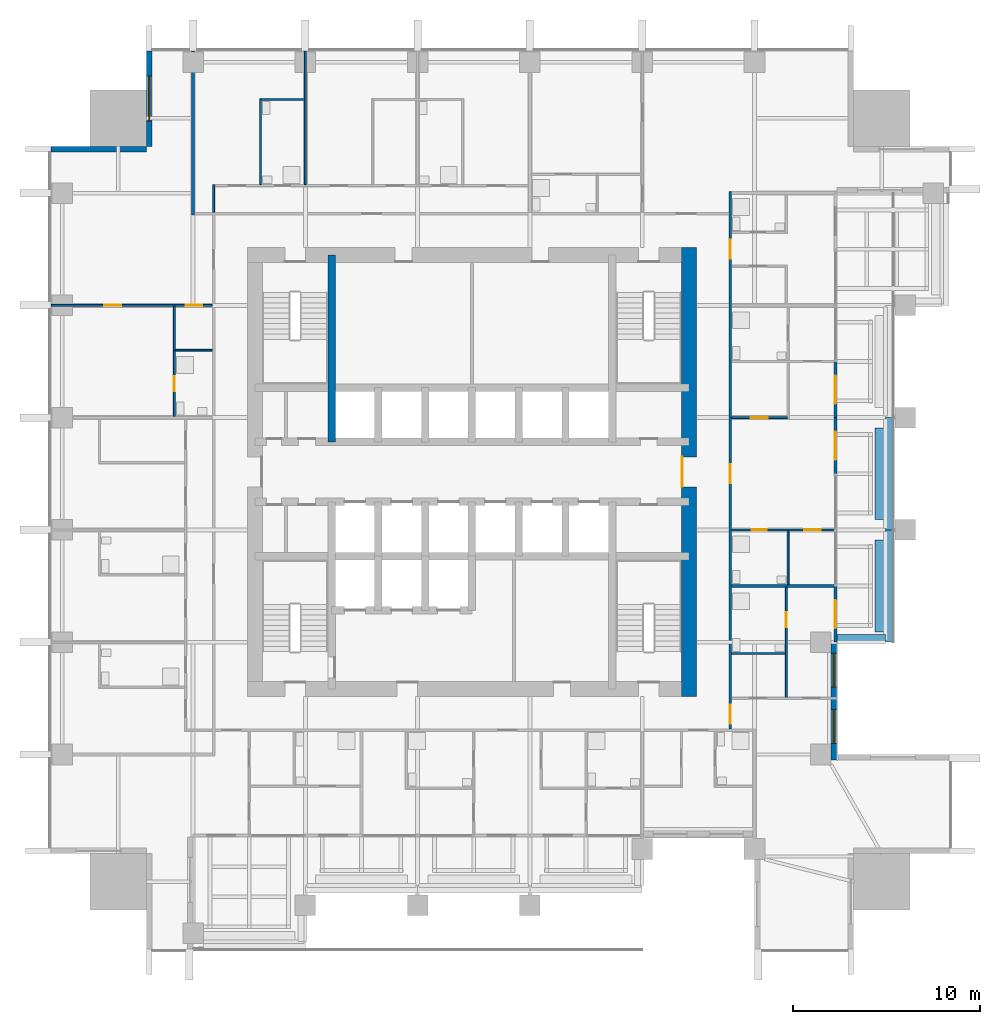
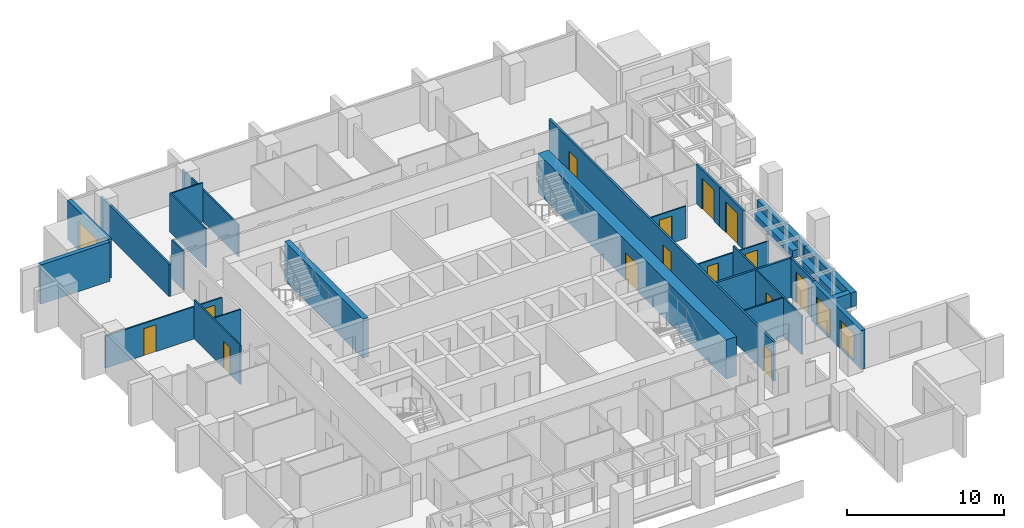
# One storey, part 10 of 16: 28 walls, 14 doors, 3 windows, 17 openings.
"""IFC4 building model written with IfcOpenShell, lengths in metres."""

from ifc_helpers import new_model, si_unit, direction, frame, frame_2d, origin, place, context, subcontext, project, spatial, rectangle, extrude, material, layer, layer_set, type_object, element, fill, save


model = new_model("IFC4")

# Units and contexts
model_context = context("Model", 3, precision=1e-05, world=origin(), true_north=direction((0.0, 1.0)))
body_context = subcontext(model_context, "Body", "Model", "MODEL_VIEW")
ifc_project = project(units=[si_unit("LENGTHUNIT", "METRE"), si_unit("AREAUNIT", "SQUARE_METRE"), si_unit("VOLUMEUNIT", "CUBIC_METRE"), si_unit("PLANEANGLEUNIT", "RADIAN"), si_unit("MASSUNIT", "GRAM", prefix="KILO")], contexts=[model_context])

# Site, building, storey
site_placement = place(None, origin())
site = spatial("IfcSite", under=ifc_project, at=site_placement, CompositionType="ELEMENT")
building_placement = place(site_placement, origin())
building = spatial("IfcBuilding", under=site, at=building_placement, Name="Amberfall Residences", CompositionType="ELEMENT")
storey_placement = place(building_placement, frame((0.0, 0.0, 108.39990234375)))
storey = spatial("IfcBuildingStorey", under=building, at=storey_placement, Name="L29", CompositionType="ELEMENT", Elevation=108.39990234375)

# Wall, opening, window
ifc_material_1 = material(Name="Pale stone cladding on insulated backing", Category="masonry")
ifc_layer_1 = layer(ifc_material_1, 0.300048828125)
ifc_layer_set_1 = layer_set([ifc_layer_1], Name="Bronze clad wall 300")
wall_type_1 = type_object("IfcWallType", Name="Bronze clad wall 300", PredefinedType="SOLIDWALL", material=ifc_layer_set_1)
wall_1_placement = place(storey_placement, frame((57.25, 68.0, 0.0), z_axis=(0.0, 0.0, 1.0), x_axis=(0.0, -1.0, 0.0)))
wall_1 = element("IfcWall", 1, at=wall_1_placement, inside=storey, type_object=wall_type_1, Name="External wall L29 NW", PredefinedType="SOLIDWALL", context=body_context, shape_type="SweptSolid", body=[
    extrude(rectangle(XDim=5.10009765625, YDim=0.300048828125, at=frame_2d((2.550048828125, 0.0))), origin(), (0.0, 0.0, 1.0), 3.050048828125),
])
opening_1_placement = place(wall_1_placement, frame((1.35009765625, 0.0, 0.14990234375)))
opening_1 = element("IfcOpeningElement", 2, at=opening_1_placement, cuts=wall_1, Name="Opening WN5", PredefinedType="OPENING", context=body_context, shape_type="SweptSolid", body=[
    extrude(rectangle(XDim=2.39990234375, YDim=2.10009765625, at=frame_2d((1.199951171875, 1.050048828125))), frame((0.0, 0.159912109375, 0.0), z_axis=(0.0, -1.0, 0.0), x_axis=(1.0, 0.0, 0.0)), (0.0, 0.0, 1.0), 0.320068359375),
])
ifc_material_2 = material(Name="Bronze aluminium framed glazing", Category="aluminium")
window_type_1 = type_object("IfcWindowType", Name="Glazed opening 2400 x 2100 bronze", PartitioningType="DOUBLE_PANEL_VERTICAL", PredefinedType="WINDOW", material=ifc_material_2)
window_1_placement = place(opening_1_placement, origin())
window_1 = element("IfcWindow", 3, at=window_1_placement, inside=storey, type_object=window_type_1, Name="Window L29 NW", OverallHeight=2.10009765625, OverallWidth=2.39990234375, PartitioningType="DOUBLE_PANEL_VERTICAL", PredefinedType="WINDOW", context=body_context, shape_type="SweptSolid", body=[
    extrude(rectangle(XDim=2.39990234375, YDim=2.10009765625, at=frame_2d((1.199951171875, 1.050048828125))), frame((0.0, 0.030029296875, 0.0), z_axis=(0.0, -1.0, 0.0), x_axis=(1.0, 0.0, 0.0)), (0.0, 0.0, 1.0), 0.06005859375),
])
fill(opening_1, window_1)

# Wall
wall_2_placement = place(storey_placement, frame((57.10009765625, 62.75, 0.0), z_axis=(0.0, 0.0, 1.0), x_axis=(-1.0, 0.0, 0.0)))
element("IfcWall", 4, at=wall_2_placement, inside=storey, type_object=wall_type_1, Name="External wall L29 NW", PredefinedType="SOLIDWALL", context=body_context, shape_type="SweptSolid", body=[
    extrude(rectangle(XDim=5.10009765625, YDim=0.300048828125, at=frame_2d((2.550048828125, 0.0))), origin(), (0.0, 0.0, 1.0), 3.050048828125),
])

# Wall, openings, windows
wall_3_placement = place(storey_placement, frame((93.85009765625, 30.10009765625, 0.0), z_axis=(0.0, 0.0, 1.0), x_axis=(0.0, 1.0, 0.0)))
wall_3 = element("IfcWall", 5, at=wall_3_placement, inside=storey, type_object=wall_type_1, Name="Stone wall L29 E", PredefinedType="SOLIDWALL", context=body_context, shape_type="SweptSolid", body=[
    extrude(rectangle(XDim=6.2998046875, YDim=0.300048828125, at=frame_2d((3.14990234375, 0.0))), origin(), (0.0, 0.0, 1.0), 3.050048828125),
])
opening_2_placement = place(wall_3_placement, frame((0.89990234375, 0.0, 0.14990234375)))
opening_2 = element("IfcOpeningElement", 6, at=opening_2_placement, cuts=wall_3, Name="Opening WN6", PredefinedType="OPENING", context=body_context, shape_type="SweptSolid", body=[
    extrude(rectangle(XDim=1.800048828125, YDim=2.10009765625, at=frame_2d((0.89990234375, 1.050048828125))), frame((0.0, 0.159912109375, 0.0), z_axis=(0.0, -1.0, 0.0), x_axis=(1.0, 0.0, 0.0)), (0.0, 0.0, 1.0), 0.320068359375),
])
opening_3_placement = place(wall_3_placement, frame((3.89990234375, 0.0, 0.14990234375)))
opening_3 = element("IfcOpeningElement", 7, at=opening_3_placement, cuts=wall_3, Name="Opening WN6", PredefinedType="OPENING", context=body_context, shape_type="SweptSolid", body=[
    extrude(rectangle(XDim=1.800048828125, YDim=2.10009765625, at=frame_2d((0.89990234375, 1.050048828125))), frame((0.0, 0.159912109375, 0.0), z_axis=(0.0, -1.0, 0.0), x_axis=(1.0, 0.0, 0.0)), (0.0, 0.0, 1.0), 0.320068359375),
])
window_type_2 = type_object("IfcWindowType", Name="Glazed opening 1800 x 2100 bronze", PartitioningType="DOUBLE_PANEL_VERTICAL", PredefinedType="WINDOW", material=ifc_material_2)
window_2_placement = place(opening_2_placement, origin())
window_2 = element("IfcWindow", 8, at=window_2_placement, inside=storey, type_object=window_type_2, Name="Window L29 E", OverallHeight=2.10009765625, OverallWidth=1.800048828125, PartitioningType="DOUBLE_PANEL_VERTICAL", PredefinedType="WINDOW", context=body_context, shape_type="SweptSolid", body=[
    extrude(rectangle(XDim=1.800048828125, YDim=2.10009765625, at=frame_2d((0.89990234375, 1.050048828125))), frame((0.0, 0.030029296875, 0.0), z_axis=(0.0, -1.0, 0.0), x_axis=(1.0, 0.0, 0.0)), (0.0, 0.0, 1.0), 0.06005859375),
])
fill(opening_2, window_2)
window_3_placement = place(opening_3_placement, origin())
window_3 = element("IfcWindow", 9, at=window_3_placement, inside=storey, type_object=window_type_2, Name="Window L29 E", OverallHeight=2.10009765625, OverallWidth=1.800048828125, PartitioningType="DOUBLE_PANEL_VERTICAL", PredefinedType="WINDOW", context=body_context, shape_type="SweptSolid", body=[
    extrude(rectangle(XDim=1.800048828125, YDim=2.10009765625, at=frame_2d((0.89990234375, 1.050048828125))), frame((0.0, 0.030029296875, 0.0), z_axis=(0.0, -1.0, 0.0), x_axis=(1.0, 0.0, 0.0)), (0.0, 0.0, 1.0), 0.06005859375),
])
fill(opening_3, window_3)

# Wall
ifc_material_3 = material(Name="Concrete C70", Category="concrete")
ifc_layer_2 = layer(ifc_material_3, 0.39990234375)
ifc_layer_set_2 = layer_set([ifc_layer_2], Name="Core wall 400 C70")
wall_type_2 = type_object("IfcWallType", Name="Core wall 400 C70", PredefinedType="SHEAR", material=ifc_layer_set_2)
wall_4_placement = place(storey_placement, frame((67.0, 47.10009765625, 0.0), z_axis=(0.0, 0.0, 1.0), x_axis=(0.0, 1.0, 0.0)))
element("IfcWall", 10, at=wall_4_placement, inside=storey, type_object=wall_type_2, Name="Core wall RW4 L29 V45N", PredefinedType="SHEAR", context=body_context, shape_type="SweptSolid", body=[
    extrude(rectangle(XDim=10.0, YDim=0.39990234375, at=frame_2d((5.0, 0.0))), origin(), (0.0, 0.0, 1.0), 3.050048828125),
])

# Wall, opening, door
ifc_layer_3 = layer(ifc_material_3, 0.800048828125)
ifc_layer_set_3 = layer_set([ifc_layer_3], Name="Core wall 800 C70")
wall_type_3 = type_object("IfcWallType", Name="Core wall 800 C70", PredefinedType="SHEAR", material=ifc_layer_set_3)
wall_5_placement = place(storey_placement, frame((86.10009765625, 33.5, 0.0), z_axis=(0.0, 0.0, 1.0), x_axis=(0.0, 1.0, 0.0)))
wall_5 = element("IfcWall", 11, at=wall_5_placement, inside=storey, type_object=wall_type_3, Name="Core wall RW3 L29 OE", PredefinedType="SHEAR", context=body_context, shape_type="SweptSolid", body=[
    extrude(rectangle(XDim=24.0, YDim=0.800048828125, at=frame_2d((12.0, 0.0))), origin(), (0.0, 0.0, 1.0), 3.050048828125),
])
opening_4_placement = place(wall_5_placement, frame((11.199951171875, 0.0, 0.0)))
opening_4 = element("IfcOpeningElement", 12, at=opening_4_placement, cuts=wall_5, Name="Opening LB1", PredefinedType="OPENING", context=body_context, shape_type="SweptSolid", body=[
    extrude(rectangle(XDim=1.60009765625, YDim=2.10009765625, at=frame_2d((0.800048828125, 1.050048828125))), frame((0.0, 0.409912109375, 0.0), z_axis=(0.0, -1.0, 0.0), x_axis=(1.0, 0.0, 0.0)), (0.0, 0.0, 1.0), 0.820068359375),
])
ifc_material_4 = material(Name="Steel fire door set", Category="steel")
door_type_1 = type_object("IfcDoorType", Name="Lift lobby double door 1600 x 2100", OperationType="DOUBLE_DOOR_SINGLE_SWING", PredefinedType="DOOR", material=ifc_material_4)
door_1_placement = place(opening_4_placement, origin())
door_1 = element("IfcDoor", 13, at=door_1_placement, inside=storey, type_object=door_type_1, Name="LB1 L29", OperationType="DOUBLE_DOOR_SINGLE_SWING", OverallHeight=2.10009765625, OverallWidth=1.60009765625, PredefinedType="DOOR", context=body_context, shape_type="SweptSolid", body=[
    extrude(rectangle(XDim=1.60009765625, YDim=2.10009765625, at=frame_2d((0.800048828125, 1.050048828125))), frame((0.0, 0.3876953125, 0.0), z_axis=(0.0, -1.0, 0.0), x_axis=(1.0, 0.0, 0.0)), (0.0, 0.0, 1.0), 0.050048828125),
])
fill(opening_4, door_1)

ifc_material_5 = material(Name="Gypsum board on metal stud")
ifc_layer_4 = layer(ifc_material_5, 0.10009765625)
ifc_layer_set_4 = layer_set([ifc_layer_4], Name="Flat partition 100")
wall_type_4 = type_object("IfcWallType", Name="Flat partition 100", PredefinedType="PARTITIONING", material=ifc_layer_set_4)
wall_6_placement = place(storey_placement, frame((58.60009765625, 54.35009765625, 0.0), z_axis=(0.0, 0.0, 1.0), x_axis=(0.0, -1.0, 0.0)))
wall_6 = element("IfcWall", 14, at=wall_6_placement, inside=storey, type_object=wall_type_4, Name="Partition 004", PredefinedType="PARTITIONING", context=body_context, shape_type="SweptSolid", body=[
    extrude(rectangle(XDim=5.875, YDim=0.10009765625, at=frame_2d((2.9375, 0.0))), origin(), (0.0, 0.0, 1.0), 3.050048828125),
])
opening_5_placement = place(wall_6_placement, frame((3.75, 0.0, 0.0)))
opening_5 = element("IfcOpeningElement", 15, at=opening_5_placement, cuts=wall_6, Name="Opening D42", PredefinedType="OPENING", context=body_context, shape_type="SweptSolid", body=[
    extrude(rectangle(XDim=0.800048828125, YDim=2.10009765625, at=frame_2d((0.39990234375, 1.050048828125))), frame((0.0, 0.06005859375, 0.0), z_axis=(0.0, -1.0, 0.0), x_axis=(1.0, 0.0, 0.0)), (0.0, 0.0, 1.0), 0.1201171875),
])
ifc_material_6 = material(Name="Timber", Category="wood")
door_type_2 = type_object("IfcDoorType", Name="Bathroom door 800 x 2100", OperationType="SINGLE_SWING_LEFT", PredefinedType="DOOR", material=ifc_material_6)
door_2_placement = place(opening_5_placement, origin())
door_2 = element("IfcDoor", 16, at=door_2_placement, inside=storey, type_object=door_type_2, Name="Door 2910 bath1", OperationType="SINGLE_SWING_LEFT", OverallHeight=2.10009765625, OverallWidth=0.800048828125, PredefinedType="DOOR", context=body_context, shape_type="SweptSolid", body=[
    extrude(rectangle(XDim=0.800048828125, YDim=2.10009765625, at=frame_2d((0.39990234375, 1.050048828125))), frame((0.0, 0.02490234375, 0.0), z_axis=(0.0, -1.0, 0.0), x_axis=(1.0, 0.0, 0.0)), (0.0, 0.0, 1.0), 0.050048828125),
])
fill(opening_5, door_2)

# Walls
wall_7_placement = place(storey_placement, frame((60.699951171875, 59.375, 0.0), z_axis=(0.0, 0.0, 1.0), x_axis=(0.0, 1.0, 0.0)))
element("IfcWall", 17, at=wall_7_placement, inside=storey, type_object=wall_type_4, Name="Partition 006", PredefinedType="PARTITIONING", context=body_context, shape_type="SweptSolid", body=[
    extrude(rectangle(XDim=1.47509765625, YDim=0.10009765625, at=frame_2d((0.737548828125, 0.0))), origin(), (0.0, 0.0, 1.0), 3.050048828125),
])
wall_8_placement = place(storey_placement, frame((63.199951171875, 60.85009765625, 0.0), z_axis=(0.0, 0.0, 1.0), x_axis=(0.0, 1.0, 0.0)))
element("IfcWall", 18, at=wall_8_placement, inside=storey, type_object=wall_type_4, Name="Partition 008", PredefinedType="PARTITIONING", context=body_context, shape_type="SweptSolid", body=[
    extrude(rectangle(XDim=4.599853515625, YDim=0.10009765625, at=frame_2d((2.2998046875, 0.0))), origin(), (0.0, 0.0, 1.0), 3.050048828125),
])
wall_9_placement = place(storey_placement, frame((65.60009765625, 60.85009765625, 0.0), z_axis=(0.0, 0.0, 1.0), x_axis=(0.0, 1.0, 0.0)))
element("IfcWall", 19, at=wall_9_placement, inside=storey, type_object=wall_type_4, Name="Partition 010", PredefinedType="PARTITIONING", context=body_context, shape_type="SweptSolid", body=[
    extrude(rectangle(XDim=7.14990234375, YDim=0.10009765625, at=frame_2d((3.574951171875, 0.0))), origin(), (0.0, 0.0, 1.0), 2.51611328125),
])

# Wall, opening, door
wall_10_placement = place(storey_placement, frame((91.300048828125, 33.449951171875, 0.0), z_axis=(0.0, 0.0, 1.0), x_axis=(0.0, 1.0, 0.0)))
wall_10 = element("IfcWall", 20, at=wall_10_placement, inside=storey, type_object=wall_type_4, Name="Partition 022", PredefinedType="PARTITIONING", context=body_context, shape_type="SweptSolid", body=[
    extrude(rectangle(XDim=5.875, YDim=0.10009765625, at=frame_2d((2.9375, 0.0))), origin(), (0.0, 0.0, 1.0), 3.050048828125),
])
opening_6_placement = place(wall_10_placement, frame((3.75, 0.0, 0.0)))
opening_6 = element("IfcOpeningElement", 21, at=opening_6_placement, cuts=wall_10, Name="Opening D42", PredefinedType="OPENING", context=body_context, shape_type="SweptSolid", body=[
    extrude(rectangle(XDim=0.800048828125, YDim=2.10009765625, at=frame_2d((0.39990234375, 1.050048828125))), frame((0.0, 0.06005859375, 0.0), z_axis=(0.0, -1.0, 0.0), x_axis=(1.0, 0.0, 0.0)), (0.0, 0.0, 1.0), 0.1201171875),
])
door_3_placement = place(opening_6_placement, origin())
door_3 = element("IfcDoor", 22, at=door_3_placement, inside=storey, type_object=door_type_2, Name="Door 2904 bath1", OperationType="SINGLE_SWING_LEFT", OverallHeight=2.10009765625, OverallWidth=0.800048828125, PredefinedType="DOOR", context=body_context, shape_type="SweptSolid", body=[
    extrude(rectangle(XDim=0.800048828125, YDim=2.10009765625, at=frame_2d((0.39990234375, 1.050048828125))), frame((0.0, 0.02490234375, 0.0), z_axis=(0.0, -1.0, 0.0), x_axis=(1.0, 0.0, 0.0)), (0.0, 0.0, 1.0), 0.050048828125),
])
fill(opening_6, door_3)

# Walls
wall_11_placement = place(storey_placement, frame((91.39990234375, 39.47509765625, 0.0), z_axis=(0.0, 0.0, 1.0), x_axis=(0.0, 1.0, 0.0)))
element("IfcWall", 23, at=wall_11_placement, inside=storey, type_object=wall_type_4, Name="Partition 025", PredefinedType="PARTITIONING", context=body_context, shape_type="SweptSolid", body=[
    extrude(rectangle(XDim=2.875, YDim=0.10009765625, at=frame_2d((1.4375, 0.0))), origin(), (0.0, 0.0, 1.0), 3.050048828125),
])
wall_12_placement = place(storey_placement, frame((63.25, 65.39990234375, 0.0), z_axis=(0.0, 0.0, 1.0), x_axis=(1.0, 0.0, 0.0)))
element("IfcWall", 24, at=wall_12_placement, inside=storey, type_object=wall_type_4, Name="Partition 027", PredefinedType="PARTITIONING", context=body_context, shape_type="SweptSolid", body=[
    extrude(rectangle(XDim=2.300048828125, YDim=0.10009765625, at=frame_2d((1.14990234375, 0.0))), origin(), (0.0, 0.0, 1.0), 3.050048828125),
])

# Wall, openings, doors
wall_13_placement = place(storey_placement, frame((60.625, 54.39990234375, 0.0), z_axis=(0.0, 0.0, 1.0), x_axis=(-1.0, 0.0, 0.0)))
wall_13 = element("IfcWall", 25, at=wall_13_placement, inside=storey, type_object=wall_type_4, Name="Partition 033", PredefinedType="PARTITIONING", context=body_context, shape_type="SweptSolid", body=[
    extrude(rectangle(XDim=8.625, YDim=0.10009765625, at=frame_2d((4.3125, 0.0))), origin(), (0.0, 0.0, 1.0), 2.51611328125),
])
opening_7_placement = place(wall_13_placement, frame((0.52490234375, 0.0, 0.0)))
opening_7 = element("IfcOpeningElement", 26, at=opening_7_placement, cuts=wall_13, Name="Opening D41", PredefinedType="OPENING", context=body_context, shape_type="SweptSolid", body=[
    extrude(rectangle(XDim=0.89990234375, YDim=2.10009765625, at=frame_2d((0.449951171875, 1.050048828125))), frame((0.0, 0.06005859375, 0.0), z_axis=(0.0, -1.0, 0.0), x_axis=(1.0, 0.0, 0.0)), (0.0, 0.0, 1.0), 0.1201171875),
])
opening_8_placement = place(wall_13_placement, frame((4.875, 0.0, 0.0)))
opening_8 = element("IfcOpeningElement", 27, at=opening_8_placement, cuts=wall_13, Name="Opening D41", PredefinedType="OPENING", context=body_context, shape_type="SweptSolid", body=[
    extrude(rectangle(XDim=0.89990234375, YDim=2.10009765625, at=frame_2d((0.449951171875, 1.050048828125))), frame((0.0, 0.06005859375, 0.0), z_axis=(0.0, -1.0, 0.0), x_axis=(1.0, 0.0, 0.0)), (0.0, 0.0, 1.0), 0.1201171875),
])
door_type_3 = type_object("IfcDoorType", Name="Internal door 900 x 2100", OperationType="SINGLE_SWING_LEFT", PredefinedType="DOOR", material=ifc_material_6)
door_4_placement = place(opening_7_placement, origin())
door_4 = element("IfcDoor", 28, at=door_4_placement, inside=storey, type_object=door_type_3, Name="Door 2910 kitchen", OperationType="SINGLE_SWING_LEFT", OverallHeight=2.10009765625, OverallWidth=0.89990234375, PredefinedType="DOOR", context=body_context, shape_type="SweptSolid", body=[
    extrude(rectangle(XDim=0.89990234375, YDim=2.10009765625, at=frame_2d((0.449951171875, 1.050048828125))), frame((0.0, 0.02490234375, 0.0), z_axis=(0.0, -1.0, 0.0), x_axis=(1.0, 0.0, 0.0)), (0.0, 0.0, 1.0), 0.050048828125),
])
fill(opening_7, door_4)
door_5_placement = place(opening_8_placement, origin())
door_5 = element("IfcDoor", 29, at=door_5_placement, inside=storey, type_object=door_type_3, Name="Door 2910 bedroom1", OperationType="SINGLE_SWING_LEFT", OverallHeight=2.10009765625, OverallWidth=0.89990234375, PredefinedType="DOOR", context=body_context, shape_type="SweptSolid", body=[
    extrude(rectangle(XDim=0.89990234375, YDim=2.10009765625, at=frame_2d((0.449951171875, 1.050048828125))), frame((0.0, 0.02490234375, 0.0), z_axis=(0.0, -1.0, 0.0), x_axis=(1.0, 0.0, 0.0)), (0.0, 0.0, 1.0), 0.050048828125),
])
fill(opening_8, door_5)

# Wall
wall_14_placement = place(storey_placement, frame((58.64990234375, 52.0, 0.0), z_axis=(0.0, 0.0, 1.0), x_axis=(1.0, 0.0, 0.0)))
element("IfcWall", 30, at=wall_14_placement, inside=storey, type_object=wall_type_4, Name="Partition 034", PredefinedType="PARTITIONING", context=body_context, shape_type="SweptSolid", body=[
    extrude(rectangle(XDim=1.97509765625, YDim=0.10009765625, at=frame_2d((0.987548828125, 0.0))), origin(), (0.0, 0.0, 1.0), 3.050048828125),
])

# Wall, opening, door
wall_15_placement = place(storey_placement, frame((88.375, 48.39990234375, 0.0), z_axis=(0.0, 0.0, 1.0), x_axis=(1.0, 0.0, 0.0)))
wall_15 = element("IfcWall", 31, at=wall_15_placement, inside=storey, type_object=wall_type_4, Name="Partition 036", PredefinedType="PARTITIONING", context=body_context, shape_type="SweptSolid", body=[
    extrude(rectangle(XDim=2.97509765625, YDim=0.10009765625, at=frame_2d((1.487548828125, 0.0))), origin(), (0.0, 0.0, 1.0), 2.51611328125),
])
opening_9_placement = place(wall_15_placement, frame((1.02490234375, 0.0, 0.0)))
opening_9 = element("IfcOpeningElement", 32, at=opening_9_placement, cuts=wall_15, Name="Opening D41", PredefinedType="OPENING", context=body_context, shape_type="SweptSolid", body=[
    extrude(rectangle(XDim=0.89990234375, YDim=2.10009765625, at=frame_2d((0.449951171875, 1.050048828125))), frame((0.0, 0.06005859375, 0.0), z_axis=(0.0, -1.0, 0.0), x_axis=(1.0, 0.0, 0.0)), (0.0, 0.0, 1.0), 0.1201171875),
])
door_6_placement = place(opening_9_placement, origin())
door_6 = element("IfcDoor", 33, at=door_6_placement, inside=storey, type_object=door_type_3, Name="Door 2905 kitchen", OperationType="SINGLE_SWING_LEFT", OverallHeight=2.10009765625, OverallWidth=0.89990234375, PredefinedType="DOOR", context=body_context, shape_type="SweptSolid", body=[
    extrude(rectangle(XDim=0.89990234375, YDim=2.10009765625, at=frame_2d((0.449951171875, 1.050048828125))), frame((0.0, 0.02490234375, 0.0), z_axis=(0.0, -1.0, 0.0), x_axis=(1.0, 0.0, 0.0)), (0.0, 0.0, 1.0), 0.050048828125),
])
fill(opening_9, door_6)

# Wall, openings, doors
wall_16_placement = place(storey_placement, frame((94.0, 42.39990234375, 0.0), z_axis=(0.0, 0.0, 1.0), x_axis=(-1.0, 0.0, 0.0)))
wall_16 = element("IfcWall", 34, at=wall_16_placement, inside=storey, type_object=wall_type_4, Name="Partition 039", PredefinedType="PARTITIONING", context=body_context, shape_type="SweptSolid", body=[
    extrude(rectangle(XDim=5.625, YDim=0.10009765625, at=frame_2d((2.8125, 0.0))), origin(), (0.0, 0.0, 1.0), 2.51611328125),
])
opening_10_placement = place(wall_16_placement, frame((0.85009765625, 0.0, 0.0)))
opening_10 = element("IfcOpeningElement", 35, at=opening_10_placement, cuts=wall_16, Name="Opening D41", PredefinedType="OPENING", context=body_context, shape_type="SweptSolid", body=[
    extrude(rectangle(XDim=0.89990234375, YDim=2.10009765625, at=frame_2d((0.449951171875, 1.050048828125))), frame((0.0, 0.06005859375, 0.0), z_axis=(0.0, -1.0, 0.0), x_axis=(1.0, 0.0, 0.0)), (0.0, 0.0, 1.0), 0.1201171875),
])
opening_11_placement = place(wall_16_placement, frame((3.75, 0.0, 0.0)))
opening_11 = element("IfcOpeningElement", 36, at=opening_11_placement, cuts=wall_16, Name="Opening D42", PredefinedType="OPENING", context=body_context, shape_type="SweptSolid", body=[
    extrude(rectangle(XDim=0.800048828125, YDim=2.10009765625, at=frame_2d((0.39990234375, 1.050048828125))), frame((0.0, 0.06005859375, 0.0), z_axis=(0.0, -1.0, 0.0), x_axis=(1.0, 0.0, 0.0)), (0.0, 0.0, 1.0), 0.1201171875),
])
door_7_placement = place(opening_11_placement, origin())
door_7 = element("IfcDoor", 37, at=door_7_placement, inside=storey, type_object=door_type_2, Name="Door 2905 bath1", OperationType="SINGLE_SWING_LEFT", OverallHeight=2.10009765625, OverallWidth=0.800048828125, PredefinedType="DOOR", context=body_context, shape_type="SweptSolid", body=[
    extrude(rectangle(XDim=0.800048828125, YDim=2.10009765625, at=frame_2d((0.39990234375, 1.050048828125))), frame((0.0, 0.02490234375, 0.0), z_axis=(0.0, -1.0, 0.0), x_axis=(1.0, 0.0, 0.0)), (0.0, 0.0, 1.0), 0.050048828125),
])
fill(opening_11, door_7)
door_8_placement = place(opening_10_placement, origin())
door_8 = element("IfcDoor", 38, at=door_8_placement, inside=storey, type_object=door_type_3, Name="Door 2905 bedroom1", OperationType="SINGLE_SWING_LEFT", OverallHeight=2.10009765625, OverallWidth=0.89990234375, PredefinedType="DOOR", context=body_context, shape_type="SweptSolid", body=[
    extrude(rectangle(XDim=0.89990234375, YDim=2.10009765625, at=frame_2d((0.449951171875, 1.050048828125))), frame((0.0, 0.02490234375, 0.0), z_axis=(0.0, -1.0, 0.0), x_axis=(1.0, 0.0, 0.0)), (0.0, 0.0, 1.0), 0.050048828125),
])
fill(opening_10, door_8)

# Walls
wall_17_placement = place(storey_placement, frame((88.375, 35.800048828125, 0.0), z_axis=(0.0, 0.0, 1.0), x_axis=(1.0, 0.0, 0.0)))
element("IfcWall", 39, at=wall_17_placement, inside=storey, type_object=wall_type_4, Name="Partition 042", PredefinedType="PARTITIONING", context=body_context, shape_type="SweptSolid", body=[
    extrude(rectangle(XDim=2.875, YDim=0.10009765625, at=frame_2d((1.4375, 0.0))), origin(), (0.0, 0.0, 1.0), 3.050048828125),
])
ifc_material_7 = material(Name="Blockwork, plastered", Category="masonry")
ifc_layer_5 = layer(ifc_material_7, 0.14990234375)
ifc_layer_set_5 = layer_set([ifc_layer_5], Name="Flat separating wall 150")
wall_type_5 = type_object("IfcWallType", Name="Flat separating wall 150", PredefinedType="PARTITIONING", material=ifc_layer_set_5)
wall_18_placement = place(storey_placement, frame((59.60009765625, 59.22509765625, 0.0), z_axis=(0.0, 0.0, 1.0), x_axis=(0.0, 1.0, 0.0)))
element("IfcWall", 40, at=wall_18_placement, inside=storey, type_object=wall_type_5, Name="Separating wall 051", PredefinedType="PARTITIONING", context=body_context, shape_type="SweptSolid", body=[
    extrude(rectangle(XDim=8.77490234375, YDim=0.14990234375, at=frame_2d((4.387451171875, 0.0))), origin(), (0.0, 0.0, 1.0), 2.510009765625),
])

# Wall, openings, doors
wall_19_placement = place(storey_placement, frame((88.300048828125, 60.47509765625, 0.0), z_axis=(0.0, 0.0, 1.0), x_axis=(0.0, -1.0, 0.0)))
wall_19 = element("IfcWall", 41, at=wall_19_placement, inside=storey, type_object=wall_type_5, Name="Separating wall 056", PredefinedType="PARTITIONING", context=body_context, shape_type="SweptSolid", body=[
    extrude(rectangle(XDim=28.7001953125, YDim=0.14990234375, at=frame_2d((14.35009765625, 0.0))), origin(), (0.0, 0.0, 1.0), 3.050048828125),
])
opening_12_placement = place(wall_19_placement, frame((27.425048828125, 0.0, 0.0)))
opening_12 = element("IfcOpeningElement", 42, at=opening_12_placement, cuts=wall_19, Name="Opening D40", PredefinedType="OPENING", context=body_context, shape_type="SweptSolid", body=[
    extrude(rectangle(XDim=1.0, YDim=2.10009765625, at=frame_2d((0.5, 1.050048828125))), frame((0.0, 0.0849609375, 0.0), z_axis=(0.0, -1.0, 0.0), x_axis=(1.0, 0.0, 0.0)), (0.0, 0.0, 1.0), 0.169921875),
])
opening_13_placement = place(wall_19_placement, frame((14.574951171875, 0.0, 0.0)))
opening_13 = element("IfcOpeningElement", 43, at=opening_13_placement, cuts=wall_19, Name="Opening D40", PredefinedType="OPENING", context=body_context, shape_type="SweptSolid", body=[
    extrude(rectangle(XDim=1.0, YDim=2.10009765625, at=frame_2d((0.5, 1.050048828125))), frame((0.0, 0.0849609375, 0.0), z_axis=(0.0, -1.0, 0.0), x_axis=(1.0, 0.0, 0.0)), (0.0, 0.0, 1.0), 0.169921875),
])
opening_14_placement = place(wall_19_placement, frame((2.574951171875, 0.0, 0.0)))
opening_14 = element("IfcOpeningElement", 44, at=opening_14_placement, cuts=wall_19, Name="Opening D40", PredefinedType="OPENING", context=body_context, shape_type="SweptSolid", body=[
    extrude(rectangle(XDim=1.0, YDim=2.10009765625, at=frame_2d((0.5, 1.050048828125))), frame((0.0, 0.0849609375, 0.0), z_axis=(0.0, -1.0, 0.0), x_axis=(1.0, 0.0, 0.0)), (0.0, 0.0, 1.0), 0.169921875),
])
ifc_material_8 = material(Name="Timber, fire-rated", Category="wood")
door_type_4 = type_object("IfcDoorType", Name="Flat entrance door FD60 1000 x 2100", OperationType="SINGLE_SWING_LEFT", PredefinedType="DOOR", material=ifc_material_8)
door_9_placement = place(opening_12_placement, origin())
door_9 = element("IfcDoor", 45, at=door_9_placement, inside=storey, type_object=door_type_4, Name="Door 2904 entrance", OperationType="SINGLE_SWING_LEFT", OverallHeight=2.10009765625, OverallWidth=1.0, PredefinedType="DOOR", context=body_context, shape_type="SweptSolid", body=[
    extrude(rectangle(XDim=1.0, YDim=2.10009765625, at=frame_2d((0.5, 1.050048828125))), frame((0.0, 0.02490234375, 0.0), z_axis=(0.0, -1.0, 0.0), x_axis=(1.0, 0.0, 0.0)), (0.0, 0.0, 1.0), 0.050048828125),
])
fill(opening_12, door_9)
door_10_placement = place(opening_13_placement, origin())
door_10 = element("IfcDoor", 46, at=door_10_placement, inside=storey, type_object=door_type_4, Name="Door 2905 entrance", OperationType="SINGLE_SWING_LEFT", OverallHeight=2.10009765625, OverallWidth=1.0, PredefinedType="DOOR", context=body_context, shape_type="SweptSolid", body=[
    extrude(rectangle(XDim=1.0, YDim=2.10009765625, at=frame_2d((0.5, 1.050048828125))), frame((0.0, 0.02490234375, 0.0), z_axis=(0.0, -1.0, 0.0), x_axis=(1.0, 0.0, 0.0)), (0.0, 0.0, 1.0), 0.050048828125),
])
fill(opening_13, door_10)
door_11_placement = place(opening_14_placement, origin())
door_11 = element("IfcDoor", 47, at=door_11_placement, inside=storey, type_object=door_type_4, Name="Door 2906 entrance", OperationType="SINGLE_SWING_LEFT", OverallHeight=2.10009765625, OverallWidth=1.0, PredefinedType="DOOR", context=body_context, shape_type="SweptSolid", body=[
    extrude(rectangle(XDim=1.0, YDim=2.10009765625, at=frame_2d((0.5, 1.050048828125))), frame((0.0, 0.02490234375, 0.0), z_axis=(0.0, -1.0, 0.0), x_axis=(1.0, 0.0, 0.0)), (0.0, 0.0, 1.0), 0.050048828125),
])
fill(opening_14, door_11)

# Walls
wall_20_placement = place(storey_placement, frame((88.375, 39.39990234375, 0.0), z_axis=(0.0, 0.0, 1.0), x_axis=(1.0, 0.0, 0.0)))
element("IfcWall", 48, at=wall_20_placement, inside=storey, type_object=wall_type_5, Name="Separating wall 062", PredefinedType="PARTITIONING", context=body_context, shape_type="SweptSolid", body=[
    extrude(rectangle(XDim=5.625, YDim=0.14990234375, at=frame_2d((2.8125, 0.0))), origin(), (0.0, 0.0, 1.0), 3.050048828125),
])
ifc_material_9 = material(Name="Precast concrete C32/40", Category="concrete")
ifc_layer_6 = layer(ifc_material_9, 0.5)
ifc_layer_set_6 = layer_set([ifc_layer_6], Name="Planter wall 500")
wall_type_6 = type_object("IfcWallType", Name="Planter wall 500", PredefinedType="SOLIDWALL", material=ifc_layer_set_6)
for number, where, z_axis, x_axis, name in (
    (49, (96.300048828125, 36.949951171875, 0.030029296875), (0.0, 0.0, 1.0), (0.0, 1.0, 0.0), "Planter L29 E2"),
    (50, (96.300048828125, 42.949951171875, 0.030029296875), (0.0, 0.0, 1.0), (0.0, 1.0, 0.0), "Planter L29 E3"),
):
    element("IfcWall", number, at=place(storey_placement, frame(where, z_axis=z_axis, x_axis=x_axis)), inside=storey, type_object=wall_type_6, Name=name, PredefinedType="SOLIDWALL", context=body_context, shape_type="SweptSolid", body=[
        extrude(rectangle(XDim=4.900146484375, YDim=0.5, at=frame_2d((2.4501953125, 0.0))), origin(), (0.0, 0.0, 1.0), 0.60009765625),
    ])

# Wall, opening, door
ifc_layer_7 = layer(ifc_material_1, 0.14990234375)
ifc_layer_set_7 = layer_set([ifc_layer_7], Name="Terrace door infill wall 150")
wall_type_7 = type_object("IfcWallType", Name="Terrace door infill wall 150", PredefinedType="SOLIDWALL", material=ifc_layer_set_7)
wall_21_placement = place(storey_placement, frame((93.925048828125, 36.39990234375, 0.0), z_axis=(0.0, 0.0, 1.0), x_axis=(0.0, 1.0, 0.0)))
wall_21 = element("IfcWall", 51, at=wall_21_placement, inside=storey, type_object=wall_type_7, Name="Terrace door wall L29 E2", PredefinedType="SOLIDWALL", context=body_context, shape_type="SweptSolid", body=[
    extrude(rectangle(XDim=3.0, YDim=0.14990234375, at=frame_2d((1.5, 0.0))), origin(), (0.0, 0.0, 1.0), 3.050048828125),
])
opening_15_placement = place(wall_21_placement, frame((0.75, 0.0, 0.0)))
opening_15 = element("IfcOpeningElement", 52, at=opening_15_placement, cuts=wall_21, Name="Opening TD2", PredefinedType="OPENING", context=body_context, shape_type="SweptSolid", body=[
    extrude(rectangle(XDim=1.5, YDim=2.39990234375, at=frame_2d((0.75, 1.199951171875))), frame((0.0, 0.0849609375, 0.0), z_axis=(0.0, -1.0, 0.0), x_axis=(1.0, 0.0, 0.0)), (0.0, 0.0, 1.0), 0.169921875),
])
ifc_material_10 = material(Name="Bronze aluminium framed glazed door", Category="aluminium")
door_type_5 = type_object("IfcDoorType", Name="Terrace sliding door 1500 x 2400", OperationType="DOUBLE_DOOR_SLIDING", PredefinedType="DOOR", material=ifc_material_10)
door_12_placement = place(opening_15_placement, origin())
door_12 = element("IfcDoor", 53, at=door_12_placement, inside=storey, type_object=door_type_5, Name="Terrace door TD2", OperationType="DOUBLE_DOOR_SLIDING", OverallHeight=2.39990234375, OverallWidth=1.5, PredefinedType="DOOR", context=body_context, shape_type="SweptSolid", body=[
    extrude(rectangle(XDim=1.5, YDim=2.39990234375, at=frame_2d((0.75, 1.199951171875))), frame((0.0, 0.02490234375, 0.0), z_axis=(0.0, -1.0, 0.0), x_axis=(1.0, 0.0, 0.0)), (0.0, 0.0, 1.0), 0.050048828125),
])
fill(opening_15, door_12)

wall_22_placement = place(storey_placement, frame((93.925048828125, 45.39990234375, 0.0), z_axis=(0.0, 0.0, 1.0), x_axis=(0.0, 1.0, 0.0)))
wall_22 = element("IfcWall", 54, at=wall_22_placement, inside=storey, type_object=wall_type_7, Name="Terrace door wall L29 E3", PredefinedType="SOLIDWALL", context=body_context, shape_type="SweptSolid", body=[
    extrude(rectangle(XDim=3.0, YDim=0.14990234375, at=frame_2d((1.5, 0.0))), origin(), (0.0, 0.0, 1.0), 3.050048828125),
])
opening_16_placement = place(wall_22_placement, frame((0.75, 0.0, 0.0)))
opening_16 = element("IfcOpeningElement", 55, at=opening_16_placement, cuts=wall_22, Name="Opening TD2", PredefinedType="OPENING", context=body_context, shape_type="SweptSolid", body=[
    extrude(rectangle(XDim=1.5, YDim=2.39990234375, at=frame_2d((0.75, 1.199951171875))), frame((0.0, 0.0849609375, 0.0), z_axis=(0.0, -1.0, 0.0), x_axis=(1.0, 0.0, 0.0)), (0.0, 0.0, 1.0), 0.169921875),
])
door_13_placement = place(opening_16_placement, origin())
door_13 = element("IfcDoor", 56, at=door_13_placement, inside=storey, type_object=door_type_5, Name="Terrace door TD2", OperationType="DOUBLE_DOOR_SLIDING", OverallHeight=2.39990234375, OverallWidth=1.5, PredefinedType="DOOR", context=body_context, shape_type="SweptSolid", body=[
    extrude(rectangle(XDim=1.5, YDim=2.39990234375, at=frame_2d((0.75, 1.199951171875))), frame((0.0, 0.02490234375, 0.0), z_axis=(0.0, -1.0, 0.0), x_axis=(1.0, 0.0, 0.0)), (0.0, 0.0, 1.0), 0.050048828125),
])
fill(opening_16, door_13)

wall_23_placement = place(storey_placement, frame((93.925048828125, 48.39990234375, 0.0), z_axis=(0.0, 0.0, 1.0), x_axis=(0.0, 1.0, 0.0)))
wall_23 = element("IfcWall", 57, at=wall_23_placement, inside=storey, type_object=wall_type_7, Name="Terrace door wall L29 E4", PredefinedType="SOLIDWALL", context=body_context, shape_type="SweptSolid", body=[
    extrude(rectangle(XDim=3.0, YDim=0.14990234375, at=frame_2d((1.5, 0.0))), origin(), (0.0, 0.0, 1.0), 3.050048828125),
])
opening_17_placement = place(wall_23_placement, frame((0.75, 0.0, 0.0)))
opening_17 = element("IfcOpeningElement", 58, at=opening_17_placement, cuts=wall_23, Name="Opening TD2", PredefinedType="OPENING", context=body_context, shape_type="SweptSolid", body=[
    extrude(rectangle(XDim=1.5, YDim=2.39990234375, at=frame_2d((0.75, 1.199951171875))), frame((0.0, 0.0849609375, 0.0), z_axis=(0.0, -1.0, 0.0), x_axis=(1.0, 0.0, 0.0)), (0.0, 0.0, 1.0), 0.169921875),
])
door_14_placement = place(opening_17_placement, origin())
door_14 = element("IfcDoor", 59, at=door_14_placement, inside=storey, type_object=door_type_5, Name="Terrace door TD2", OperationType="DOUBLE_DOOR_SLIDING", OverallHeight=2.39990234375, OverallWidth=1.5, PredefinedType="DOOR", context=body_context, shape_type="SweptSolid", body=[
    extrude(rectangle(XDim=1.5, YDim=2.39990234375, at=frame_2d((0.75, 1.199951171875))), frame((0.0, 0.02490234375, 0.0), z_axis=(0.0, -1.0, 0.0), x_axis=(1.0, 0.0, 0.0)), (0.0, 0.0, 1.0), 0.050048828125),
])
fill(opening_17, door_14)

# Walls
ifc_material_11 = material(Name="Pale stone faced Concrete C40", Category="masonry")
ifc_layer_8 = layer(ifc_material_11, 0.39990234375)
ifc_layer_set_8 = layer_set([ifc_layer_8], Name="Terrace parapet wall 400")
wall_type_8 = type_object("IfcWallType", Name="Terrace parapet wall 400", PredefinedType="PARAPET", material=ifc_layer_set_8)
wall_24_placement = place(storey_placement, frame((96.800048828125, 36.39990234375, 0.030029296875), z_axis=(0.0, 0.0, 1.0), x_axis=(0.0, 1.0, 0.0)))
element("IfcWall", 60, at=wall_24_placement, inside=storey, type_object=wall_type_8, Name="Terrace parapet L29 E2", PredefinedType="PARAPET", context=body_context, shape_type="SweptSolid", body=[
    extrude(rectangle(XDim=6.0, YDim=0.39990234375, at=frame_2d((3.0, 0.0))), origin(), (0.0, 0.0, 1.0), 1.10009765625),
])
wall_25_placement = place(storey_placement, frame((94.0, 36.60009765625, 0.030029296875), z_axis=(0.0, 0.0, 1.0), x_axis=(1.0, 0.0, 0.0)))
element("IfcWall", 61, at=wall_25_placement, inside=storey, type_object=wall_type_8, Name="Terrace parapet L29 E2 return", PredefinedType="PARAPET", context=body_context, shape_type="SweptSolid", body=[
    extrude(rectangle(XDim=2.60009765625, YDim=0.39990234375, at=frame_2d((1.300048828125, 0.0))), origin(), (0.0, 0.0, 1.0), 1.10009765625),
])
wall_26_placement = place(storey_placement, frame((96.800048828125, 42.39990234375, 0.030029296875), z_axis=(0.0, 0.0, 1.0), x_axis=(0.0, 1.0, 0.0)))
element("IfcWall", 62, at=wall_26_placement, inside=storey, type_object=wall_type_8, Name="Terrace parapet L29 E3", PredefinedType="PARAPET", context=body_context, shape_type="SweptSolid", body=[
    extrude(rectangle(XDim=6.0, YDim=0.39990234375, at=frame_2d((3.0, 0.0))), origin(), (0.0, 0.0, 1.0), 1.10009765625),
])

save(model, "model.ifc")
